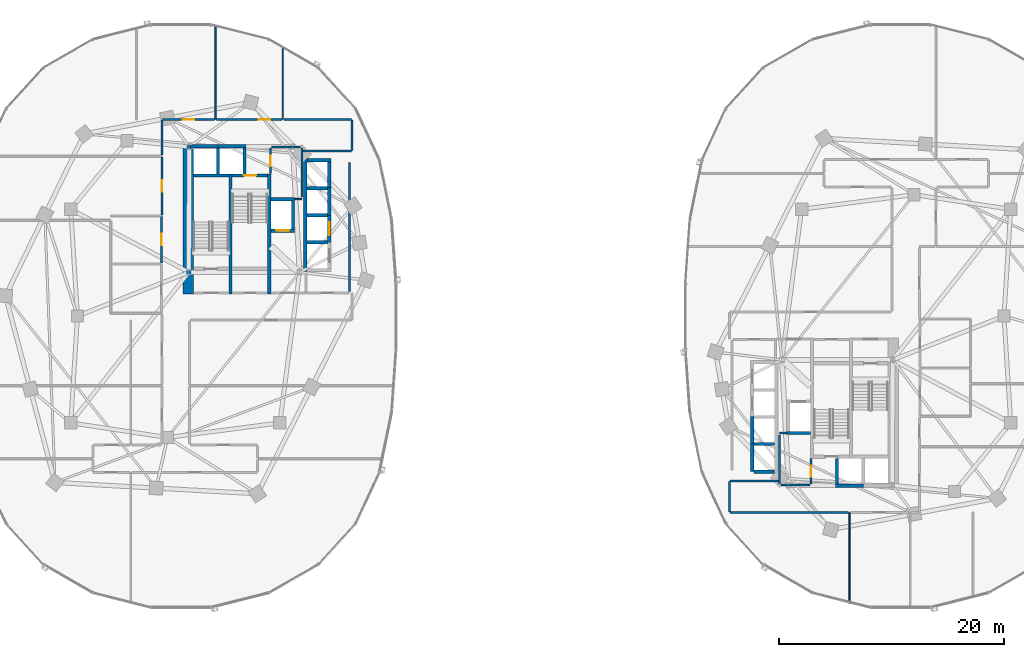
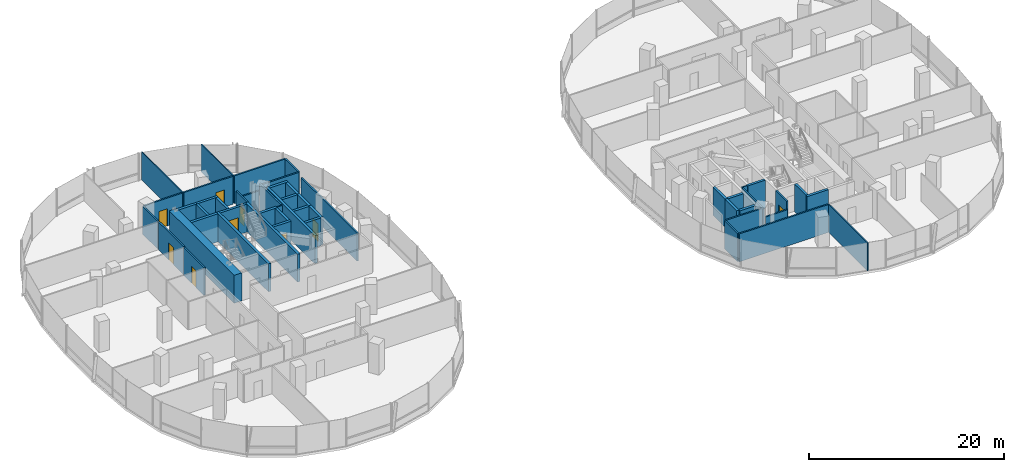
# One storey, part 12 of 22: 50 walls, 9 doors, 9 openings.
"""IFC4 building model written with IfcOpenShell, lengths in metres."""

from ifc_helpers import new_model, si_unit, direction, frame, frame_2d, origin, place, context, subcontext, project, spatial, rectangle, extrude, material, layer, layer_set, type_object, element, fill, save


model = new_model("IFC4")

# Units and contexts
model_context = context("Model", 3, precision=1e-05, world=origin(), true_north=direction((0.0, 1.0)))
body_context = subcontext(model_context, "Body", "Model", "MODEL_VIEW")
ifc_project = project(units=[si_unit("LENGTHUNIT", "METRE"), si_unit("AREAUNIT", "SQUARE_METRE"), si_unit("VOLUMEUNIT", "CUBIC_METRE"), si_unit("PLANEANGLEUNIT", "RADIAN"), si_unit("MASSUNIT", "GRAM", prefix="KILO"), si_unit("THERMODYNAMICTEMPERATUREUNIT", "KELVIN"), si_unit("POWERUNIT", "WATT")], contexts=[model_context])

# Site, building, storey
site_placement = place(None, origin())
site = spatial("IfcSite", under=ifc_project, at=site_placement, CompositionType="ELEMENT")
building_placement = place(site_placement, origin())
building = spatial("IfcBuilding", under=site, at=building_placement, Name="Cundina Bronze Exchange", CompositionType="ELEMENT")
storey_placement = place(building_placement, frame((0.0, 0.0, 43.0)))
storey = spatial("IfcBuildingStorey", under=building, at=storey_placement, Name="L10", CompositionType="ELEMENT", Elevation=43.0)

# Walls
ifc_material_1 = material(Name="Gypsum Fireboard Partition EI120")
ifc_layer_1 = layer(ifc_material_1, 0.179931640625, Name="Gypsum Fireboard Partition EI120")
ifc_layer_set_1 = layer_set([ifc_layer_1], Name="Gypsum Fireboard Partition EI120")
wall_type_1 = type_object("IfcWallType", Name="WL-COR-180", PredefinedType="PARTITIONING", material=ifc_layer_set_1)
wall_1_placement = place(storey_placement, frame((-17.02001953125, 2.169921875, 0.0), z_axis=(0.0, 0.0, 1.0), x_axis=(0.0, 1.0, 0.0)))
element("IfcWall", 1, at=wall_1_placement, inside=storey, type_object=wall_type_1, Name="L10 Interior Partition 001", PredefinedType="PARTITIONING", context=body_context, shape_type="SweptSolid", body=[
    extrude(rectangle(XDim=11.510009765625, YDim=0.179931640625, at=frame_2d((5.7548828125, 0.0))), origin(), (0.0, 0.0, 1.0), 3.5),
])
wall_2_placement = place(storey_placement, frame((-21.25, 10.570068359375, 0.0), z_axis=(0.0, 0.0, 1.0), x_axis=(0.0, 1.0, 0.0)))
element("IfcWall", 2, at=wall_2_placement, inside=storey, type_object=wall_type_1, Name="L10 Interior Partition 004", PredefinedType="PARTITIONING", context=body_context, shape_type="SweptSolid", body=[
    extrude(rectangle(XDim=4.35986328125, YDim=0.179931640625, at=frame_2d((2.179931640625, 0.0))), origin(), (0.0, 0.0, 1.0), 3.5),
])
wall_3_placement = place(storey_placement, frame((-23.9599609375, 15.030029296875, 0.0), z_axis=(0.0, 0.0, 1.0), x_axis=(1.0, 0.0, 0.0)))
element("IfcWall", 3, at=wall_3_placement, inside=storey, type_object=wall_type_1, Name="L10 Interior Partition 005", PredefinedType="PARTITIONING", context=body_context, shape_type="SweptSolid", body=[
    extrude(rectangle(XDim=2.60986328125, YDim=0.179931640625, at=frame_2d((1.304931640625, 0.0))), origin(), (0.0, 0.0, 1.0), 2.572998046875),
])

# Wall, opening, door
wall_4_placement = place(storey_placement, frame((-24.02001953125, 12.669921875, 0.0), z_axis=(0.0, 0.0, 1.0), x_axis=(0.0, 1.0, 0.0)))
wall_4 = element("IfcWall", 4, at=wall_4_placement, inside=storey, type_object=wall_type_1, Name="L10 Interior Partition 007", PredefinedType="PARTITIONING", context=body_context, shape_type="SweptSolid", body=[
    extrude(rectangle(XDim=2.260009765625, YDim=0.179931640625, at=frame_2d((1.1298828125, 0.0))), origin(), (0.0, 0.0, 1.0), 3.5),
])
opening_1_placement = place(wall_4_placement, frame((0.655029296875, 0.0, 0.0)))
opening_1 = element("IfcOpeningElement", 5, at=opening_1_placement, cuts=wall_4, Name="Opening DW-01", PredefinedType="OPENING", context=body_context, shape_type="SweptSolid", body=[
    extrude(rectangle(XDim=0.949951171875, YDim=2.10009765625, at=frame_2d((0.47509765625, 1.050048828125))), frame((0.0, 0.099853515625, 0.0), z_axis=(0.0, -1.0, 0.0), x_axis=(1.0, 0.0, 0.0)), (0.0, 0.0, 1.0), 0.199951171875),
])
ifc_material_2 = material(Name="Solid Andean Oak Timber Grade A", Category="wood")
door_type_1 = type_object("IfcDoorType", Name="DR-WC-950", OperationType="NOTDEFINED", PredefinedType="DOOR", material=ifc_material_2)
door_1_placement = place(opening_1_placement, origin())
door_1 = element("IfcDoor", 6, at=door_1_placement, inside=storey, type_object=door_type_1, Name="L10 Interior Door 007", OperationType="SINGLE_SWING_RIGHT", OverallHeight=2.10009765625, OverallWidth=0.949951171875, PredefinedType="DOOR", context=body_context, shape_type="SweptSolid", body=[
    extrude(rectangle(XDim=0.949951171875, YDim=2.10009765625, at=frame_2d((0.47509765625, 1.050048828125))), frame((0.0, 0.02490234375, 0.0), z_axis=(0.0, -1.0, 0.0), x_axis=(1.0, 0.0, 0.0)), (0.0, 0.0, 1.0), 0.050048828125),
])
fill(opening_1, door_1)

wall_5_placement = place(storey_placement, frame((-33.719970703125, 4.72998046875, 0.0), z_axis=(0.0, 0.0, 1.0), x_axis=(0.0, 1.0, 0.0)))
wall_5 = element("IfcWall", 7, at=wall_5_placement, inside=storey, type_object=wall_type_1, Name="L10 Interior Partition 014", PredefinedType="PARTITIONING", context=body_context, shape_type="SweptSolid", body=[
    extrude(rectangle(XDim=4.159912109375, YDim=0.179931640625, at=frame_2d((2.080078125, 0.0))), origin(), (0.0, 0.0, 1.0), 3.5),
])
opening_2_placement = place(wall_5_placement, frame((1.580078125, 0.0, 0.0)))
opening_2 = element("IfcOpeningElement", 8, at=opening_2_placement, cuts=wall_5, Name="Opening DO-01", PredefinedType="OPENING", context=body_context, shape_type="SweptSolid", body=[
    extrude(rectangle(XDim=1.0, YDim=2.14990234375, at=frame_2d((0.5, 1.074951171875))), frame((0.0, 0.099853515625, 0.0), z_axis=(0.0, -1.0, 0.0), x_axis=(1.0, 0.0, 0.0)), (0.0, 0.0, 1.0), 0.199951171875),
])
door_type_2 = type_object("IfcDoorType", Name="DR-OFF-1000", OperationType="NOTDEFINED", PredefinedType="DOOR", material=ifc_material_2)
door_2_placement = place(opening_2_placement, origin())
door_2 = element("IfcDoor", 9, at=door_2_placement, inside=storey, type_object=door_type_2, Name="L10 Interior Door 014", OperationType="SINGLE_SWING_LEFT", OverallHeight=2.14990234375, OverallWidth=1.0, PredefinedType="DOOR", context=body_context, shape_type="SweptSolid", body=[
    extrude(rectangle(XDim=1.0, YDim=2.14990234375, at=frame_2d((0.5, 1.074951171875))), frame((0.0, 0.02490234375, 0.0), z_axis=(0.0, -1.0, 0.0), x_axis=(1.0, 0.0, 0.0)), (0.0, 0.0, 1.0), 0.050048828125),
])
fill(opening_2, door_2)

# Walls
wall_6_placement = place(storey_placement, frame((-16.821533203125, 17.469970703125, 0.0), z_axis=(0.0, 0.0, 1.0), x_axis=(-1.0, 0.0, 0.0)))
element("IfcWall", 10, at=wall_6_placement, inside=storey, type_object=wall_type_1, Name="L10 Interior Partition 041", PredefinedType="PARTITIONING", context=body_context, shape_type="SweptSolid", body=[
    extrude(rectangle(XDim=6.028564453125, YDim=0.179931640625, at=frame_2d((3.01416015625, 0.0))), origin(), (0.0, 0.0, 1.0), 3.5),
])
wall_7_placement = place(storey_placement, frame((-21.178466796875, 14.679931640625, 0.0), z_axis=(0.0, 0.0, 1.0), x_axis=(1.0, 0.0, 0.0)))
element("IfcWall", 11, at=wall_7_placement, inside=storey, type_object=wall_type_1, Name="L10 Interior Partition 043", PredefinedType="PARTITIONING", context=body_context, shape_type="SweptSolid", body=[
    extrude(rectangle(XDim=4.35693359375, YDim=0.179931640625, at=frame_2d((2.178466796875, 0.0))), origin(), (0.0, 0.0, 1.0), 3.5),
])
wall_8_placement = place(storey_placement, frame((-16.780029296875, 14.721435546875, 0.0), z_axis=(0.0, 0.0, 1.0), x_axis=(0.0, 1.0, 0.0)))
element("IfcWall", 12, at=wall_8_placement, inside=storey, type_object=wall_type_1, Name="L10 Interior Partition 044", PredefinedType="PARTITIONING", context=body_context, shape_type="SweptSolid", body=[
    extrude(rectangle(XDim=2.70703125, YDim=0.179931640625, at=frame_2d((1.353515625, 0.0))), origin(), (0.0, 0.0, 1.0), 3.5),
])

# Wall, opening, door
wall_9_placement = place(storey_placement, frame((-33.669921875, 14.1298828125, 0.0), z_axis=(0.0, 0.0, 1.0), x_axis=(0.0, -1.0, 0.0)))
wall_9 = element("IfcWall", 13, at=wall_9_placement, inside=storey, type_object=wall_type_1, Name="L10 Interior Partition 046", PredefinedType="PARTITIONING", context=body_context, shape_type="SweptSolid", body=[
    extrude(rectangle(XDim=5.12841796875, YDim=0.179931640625, at=frame_2d((2.564208984375, 0.0))), origin(), (0.0, 0.0, 1.0), 3.5),
])
opening_3_placement = place(wall_9_placement, frame((2.064208984375, 0.0, 0.0)))
opening_3 = element("IfcOpeningElement", 14, at=opening_3_placement, cuts=wall_9, Name="Opening DO-01", PredefinedType="OPENING", context=body_context, shape_type="SweptSolid", body=[
    extrude(rectangle(XDim=1.0, YDim=2.14990234375, at=frame_2d((0.5, 1.074951171875))), frame((0.0, 0.099853515625, 0.0), z_axis=(0.0, -1.0, 0.0), x_axis=(1.0, 0.0, 0.0)), (0.0, 0.0, 1.0), 0.199951171875),
])
door_3_placement = place(opening_3_placement, origin())
door_3 = element("IfcDoor", 15, at=door_3_placement, inside=storey, type_object=door_type_2, Name="L10 Interior Door 046", OperationType="SINGLE_SWING_RIGHT", OverallHeight=2.14990234375, OverallWidth=1.0, PredefinedType="DOOR", context=body_context, shape_type="SweptSolid", body=[
    extrude(rectangle(XDim=1.0, YDim=2.14990234375, at=frame_2d((0.5, 1.074951171875))), frame((0.0, 0.02490234375, 0.0), z_axis=(0.0, -1.0, 0.0), x_axis=(1.0, 0.0, 0.0)), (0.0, 0.0, 1.0), 0.050048828125),
])
fill(opening_3, door_3)

wall_10_placement = place(storey_placement, frame((-29.030029296875, 17.469970703125, 0.0), z_axis=(0.0, 0.0, 1.0), x_axis=(-1.0, 0.0, 0.0)))
wall_10 = element("IfcWall", 16, at=wall_10_placement, inside=storey, type_object=wall_type_1, Name="L10 Interior Partition 047", PredefinedType="PARTITIONING", context=body_context, shape_type="SweptSolid", body=[
    extrude(rectangle(XDim=4.598388671875, YDim=0.179931640625, at=frame_2d((2.29931640625, 0.0))), origin(), (0.0, 0.0, 1.0), 3.5),
])
opening_4_placement = place(wall_10_placement, frame((1.79931640625, 0.0, 0.0)))
opening_4 = element("IfcOpeningElement", 17, at=opening_4_placement, cuts=wall_10, Name="Opening DO-01", PredefinedType="OPENING", context=body_context, shape_type="SweptSolid", body=[
    extrude(rectangle(XDim=1.0, YDim=2.14990234375, at=frame_2d((0.5, 1.074951171875))), frame((0.0, 0.099853515625, 0.0), z_axis=(0.0, -1.0, 0.0), x_axis=(1.0, 0.0, 0.0)), (0.0, 0.0, 1.0), 0.199951171875),
])
door_4_placement = place(opening_4_placement, origin())
door_4 = element("IfcDoor", 18, at=door_4_placement, inside=storey, type_object=door_type_2, Name="L10 Interior Door 047", OperationType="SINGLE_SWING_LEFT", OverallHeight=2.14990234375, OverallWidth=1.0, PredefinedType="DOOR", context=body_context, shape_type="SweptSolid", body=[
    extrude(rectangle(XDim=1.0, YDim=2.14990234375, at=frame_2d((0.5, 1.074951171875))), frame((0.0, 0.02490234375, 0.0), z_axis=(0.0, -1.0, 0.0), x_axis=(1.0, 0.0, 0.0)), (0.0, 0.0, 1.0), 0.050048828125),
])
fill(opening_4, door_4)

# Wall
wall_11_placement = place(storey_placement, frame((-33.669921875, 17.428466796875, 0.0), z_axis=(0.0, 0.0, 1.0), x_axis=(0.0, -1.0, 0.0)))
element("IfcWall", 19, at=wall_11_placement, inside=storey, type_object=wall_type_1, Name="L10 Interior Partition 048", PredefinedType="PARTITIONING", context=body_context, shape_type="SweptSolid", body=[
    extrude(rectangle(XDim=3.118408203125, YDim=0.179931640625, at=frame_2d((1.55908203125, 0.0))), origin(), (0.0, 0.0, 1.0), 3.5),
])

# Wall, opening, door
wall_12_placement = place(storey_placement, frame((-23.030029296875, 17.469970703125, 0.0), z_axis=(0.0, 0.0, 1.0), x_axis=(-1.0, 0.0, 0.0)))
wall_12 = element("IfcWall", 20, at=wall_12_placement, inside=storey, type_object=wall_type_1, Name="L10 Interior Partition 049", PredefinedType="PARTITIONING", context=body_context, shape_type="SweptSolid", body=[
    extrude(rectangle(XDim=5.820068359375, YDim=0.179931640625, at=frame_2d((2.91015625, 0.0))), origin(), (0.0, 0.0, 1.0), 3.5),
])
opening_5_placement = place(wall_12_placement, frame((1.035888671875, 0.0, 0.0)))
opening_5 = element("IfcOpeningElement", 21, at=opening_5_placement, cuts=wall_12, Name="Opening DO-01", PredefinedType="OPENING", context=body_context, shape_type="SweptSolid", body=[
    extrude(rectangle(XDim=1.0, YDim=2.14990234375, at=frame_2d((0.5, 1.074951171875))), frame((0.0, 0.099853515625, 0.0), z_axis=(0.0, -1.0, 0.0), x_axis=(1.0, 0.0, 0.0)), (0.0, 0.0, 1.0), 0.199951171875),
])
door_5_placement = place(opening_5_placement, origin())
door_5 = element("IfcDoor", 22, at=door_5_placement, inside=storey, type_object=door_type_2, Name="L10 Interior Door 049", OperationType="SINGLE_SWING_LEFT", OverallHeight=2.14990234375, OverallWidth=1.0, PredefinedType="DOOR", context=body_context, shape_type="SweptSolid", body=[
    extrude(rectangle(XDim=1.0, YDim=2.14990234375, at=frame_2d((0.5, 1.074951171875))), frame((0.0, 0.02490234375, 0.0), z_axis=(0.0, -1.0, 0.0), x_axis=(1.0, 0.0, 0.0)), (0.0, 0.0, 1.0), 0.050048828125),
])
fill(opening_5, door_5)

# Walls
wall_13_placement = place(storey_placement, frame((21.25, -14.929931640625, 0.0), z_axis=(0.0, 0.0, 1.0), x_axis=(0.0, 1.0, 0.0)))
element("IfcWall", 23, at=wall_13_placement, inside=storey, type_object=wall_type_1, Name="L10 Interior Partition 053", PredefinedType="PARTITIONING", context=body_context, shape_type="SweptSolid", body=[
    extrude(rectangle(XDim=4.35986328125, YDim=0.179931640625, at=frame_2d((2.179931640625, 0.0))), origin(), (0.0, 0.0, 1.0), 3.5),
])
wall_14_placement = place(storey_placement, frame((21.35009765625, -15.030029296875, 0.0), z_axis=(0.0, 0.0, 1.0), x_axis=(1.0, 0.0, 0.0)))
element("IfcWall", 24, at=wall_14_placement, inside=storey, type_object=wall_type_1, Name="L10 Interior Partition 054", PredefinedType="PARTITIONING", context=body_context, shape_type="SweptSolid", body=[
    extrude(rectangle(XDim=2.60986328125, YDim=0.179931640625, at=frame_2d((1.304931640625, 0.0))), origin(), (0.0, 0.0, 1.0), 2.572998046875),
])

# Wall, opening, door
wall_15_placement = place(storey_placement, frame((24.02001953125, -14.929931640625, 0.0), z_axis=(0.0, 0.0, 1.0), x_axis=(0.0, 1.0, 0.0)))
wall_15 = element("IfcWall", 25, at=wall_15_placement, inside=storey, type_object=wall_type_1, Name="L10 Interior Partition 056", PredefinedType="PARTITIONING", context=body_context, shape_type="SweptSolid", body=[
    extrude(rectangle(XDim=2.260009765625, YDim=0.179931640625, at=frame_2d((1.1298828125, 0.0))), origin(), (0.0, 0.0, 1.0), 3.5),
])
opening_6_placement = place(wall_15_placement, frame((0.655029296875, 0.0, 0.0)))
opening_6 = element("IfcOpeningElement", 26, at=opening_6_placement, cuts=wall_15, Name="Opening DW-01", PredefinedType="OPENING", context=body_context, shape_type="SweptSolid", body=[
    extrude(rectangle(XDim=0.949951171875, YDim=2.10009765625, at=frame_2d((0.47509765625, 1.050048828125))), frame((0.0, 0.099853515625, 0.0), z_axis=(0.0, -1.0, 0.0), x_axis=(1.0, 0.0, 0.0)), (0.0, 0.0, 1.0), 0.199951171875),
])
door_6_placement = place(opening_6_placement, origin())
door_6 = element("IfcDoor", 27, at=door_6_placement, inside=storey, type_object=door_type_1, Name="L10 Interior Door 056", OperationType="SINGLE_SWING_LEFT", OverallHeight=2.10009765625, OverallWidth=0.949951171875, PredefinedType="DOOR", context=body_context, shape_type="SweptSolid", body=[
    extrude(rectangle(XDim=0.949951171875, YDim=2.10009765625, at=frame_2d((0.47509765625, 1.050048828125))), frame((0.0, 0.02490234375, 0.0), z_axis=(0.0, -1.0, 0.0), x_axis=(1.0, 0.0, 0.0)), (0.0, 0.0, 1.0), 0.050048828125),
])
fill(opening_6, door_6)

# Walls
wall_16_placement = place(storey_placement, frame((16.821533203125, -17.469970703125, 0.0), z_axis=(0.0, 0.0, 1.0), x_axis=(1.0, 0.0, 0.0)))
element("IfcWall", 28, at=wall_16_placement, inside=storey, type_object=wall_type_1, Name="L10 Interior Partition 081", PredefinedType="PARTITIONING", context=body_context, shape_type="SweptSolid", body=[
    extrude(rectangle(XDim=10.548583984375, YDim=0.179931640625, at=frame_2d((5.2744140625, 0.0))), origin(), (0.0, 0.0, 1.0), 3.5),
])
wall_17_placement = place(storey_placement, frame((21.178466796875, -14.679931640625, 0.0), z_axis=(0.0, 0.0, 1.0), x_axis=(-1.0, 0.0, 0.0)))
element("IfcWall", 29, at=wall_17_placement, inside=storey, type_object=wall_type_1, Name="L10 Interior Partition 083", PredefinedType="PARTITIONING", context=body_context, shape_type="SweptSolid", body=[
    extrude(rectangle(XDim=4.35693359375, YDim=0.179931640625, at=frame_2d((2.178466796875, 0.0))), origin(), (0.0, 0.0, 1.0), 3.5),
])
wall_18_placement = place(storey_placement, frame((16.780029296875, -14.721435546875, 0.0), z_axis=(0.0, 0.0, 1.0), x_axis=(0.0, -1.0, 0.0)))
element("IfcWall", 30, at=wall_18_placement, inside=storey, type_object=wall_type_1, Name="L10 Interior Partition 084", PredefinedType="PARTITIONING", context=body_context, shape_type="SweptSolid", body=[
    extrude(rectangle(XDim=2.70703125, YDim=0.179931640625, at=frame_2d((1.353515625, 0.0))), origin(), (0.0, 0.0, 1.0), 3.5),
])
ifc_material_3 = material(Name="Concrete C60/75", Category="concrete")
ifc_layer_2 = layer(ifc_material_3, 0.89990234375, Name="Concrete C60/75", Category="concrete")
ifc_layer_set_2 = layer_set([ifc_layer_2], Name="Concrete C60/75")
wall_type_2 = type_object("IfcWallType", Name="WL-CORE-900", PredefinedType="SHEAR", material=ifc_layer_set_2)
wall_19_placement = place(storey_placement, frame((-31.35009765625, 1.969970703125, 0.0), z_axis=(0.0, 0.0, 1.0), x_axis=(0.0, 1.0, 0.0)))
element("IfcWall", 31, at=wall_19_placement, inside=storey, type_object=wall_type_2, Name="L10 W Primary Core Shear Spine Wall", PredefinedType="SHEAR", context=body_context, shape_type="SweptSolid", body=[
    extrude(rectangle(XDim=13.330078125, YDim=0.89990234375, at=frame_2d((6.6650390625, 0.0))), origin(), (0.0, 0.0, 1.0), 3.5),
])
ifc_material_4 = material(Name="Gypsum Acoustic Partition EI60")
ifc_layer_3 = layer(ifc_material_4, 0.125, Name="Gypsum Acoustic Partition EI60")
ifc_layer_set_3 = layer_set([ifc_layer_3], Name="Gypsum Acoustic Partition EI60")
wall_type_3 = type_object("IfcWallType", Name="WL-OFF-125", PredefinedType="PARTITIONING", material=ifc_layer_set_3)
wall_20_placement = place(storey_placement, frame((-28.93994140625, 17.5, 0.0), z_axis=(0.0, 0.0, 1.0), x_axis=(0.0, 1.0, 0.0)))
element("IfcWall", 32, at=wall_20_placement, inside=storey, type_object=wall_type_3, Name="L10 Interior Partition 026", PredefinedType="PARTITIONING", context=body_context, shape_type="SweptSolid", body=[
    extrude(rectangle(XDim=8.394775390625, YDim=0.125, at=frame_2d((4.197265625, 0.0))), origin(), (0.0, 0.0, 1.0), 3.5),
])
wall_21_placement = place(storey_placement, frame((-22.93994140625, 17.5, 0.0), z_axis=(0.0, 0.0, 1.0), x_axis=(0.0, 1.0, 0.0)))
element("IfcWall", 33, at=wall_21_placement, inside=storey, type_object=wall_type_3, Name="L10 Interior Partition 027", PredefinedType="PARTITIONING", context=body_context, shape_type="SweptSolid", body=[
    extrude(rectangle(XDim=6.490478515625, YDim=0.125, at=frame_2d((3.2451171875, 0.0))), origin(), (0.0, 0.0, 1.0), 3.5),
])
wall_22_placement = place(storey_placement, frame((27.4599609375, -25.5205078125, 0.0), z_axis=(0.0, 0.0, 1.0), x_axis=(0.0, 1.0, 0.0)))
element("IfcWall", 34, at=wall_22_placement, inside=storey, type_object=wall_type_3, Name="L10 Interior Partition 073", PredefinedType="PARTITIONING", context=body_context, shape_type="SweptSolid", body=[
    extrude(rectangle(XDim=8.0205078125, YDim=0.125, at=frame_2d((4.01025390625, 0.0))), origin(), (0.0, 0.0, 1.0), 3.5),
])
ifc_material_5 = material(Name="Concrete C50/60", Category="concrete")
ifc_layer_4 = layer(ifc_material_5, 0.300048828125, Name="Concrete C50/60", Category="concrete")
ifc_layer_set_4 = layer_set([ifc_layer_4], Name="Concrete C50/60")
wall_type_4 = type_object("IfcWallType", Name="WL-SHFT-300", PredefinedType="SHEAR", material=ifc_layer_set_4)
for number, where, z_axis, x_axis, name in (
    (35, (-27.590087890625, 1.969970703125, 0.0), (0.0, 0.0, 1.0), (0.0, 1.0, 0.0), "L10 W Stair Shaft Dividing Shear Wall"),
    (36, (-24.1298828125, 1.969970703125, 0.0), (0.0, 0.0, 1.0), (0.0, 1.0, 0.0), "L10 W Stair 2 East Shear Wall"),
):
    element("IfcWall", number, at=place(storey_placement, frame(where, z_axis=z_axis, x_axis=x_axis)), inside=storey, type_object=wall_type_4, Name=name, PredefinedType="SHEAR", context=body_context, shape_type="SweptSolid", body=[
        extrude(rectangle(XDim=10.679931640625, YDim=0.300048828125, at=frame_2d((5.33984375, 0.0))), origin(), (0.0, 0.0, 1.0), 3.5),
    ])
wall_23_placement = place(storey_placement, frame((-30.89990234375, 12.5, 0.0), z_axis=(0.0, 0.0, 1.0), x_axis=(1.0, 0.0, 0.0)))
element("IfcWall", 37, at=wall_23_placement, inside=storey, type_object=wall_type_4, Name="L10 Stair W1 Far Shaft Wall", PredefinedType="SHEAR", context=body_context, shape_type="SweptSolid", body=[
    extrude(rectangle(XDim=3.159912109375, YDim=0.300048828125, at=frame_2d((1.580078125, 0.0))), origin(), (0.0, 0.0, 1.0), 3.5),
])

# Wall, opening, door
wall_24_placement = place(storey_placement, frame((-27.43994140625, 12.5, 0.0), z_axis=(0.0, 0.0, 1.0), x_axis=(1.0, 0.0, 0.0)))
wall_24 = element("IfcWall", 38, at=wall_24_placement, inside=storey, type_object=wall_type_4, Name="L10 Stair W2 Landing Wall", PredefinedType="SHEAR", context=body_context, shape_type="SweptSolid", body=[
    extrude(rectangle(XDim=3.159912109375, YDim=0.300048828125, at=frame_2d((1.580078125, 0.0))), origin(), (0.0, 0.0, 1.0), 3.5),
])
opening_7_placement = place(wall_24_placement, frame((1.030029296875, 0.0, 0.0)))
opening_7 = element("IfcOpeningElement", 39, at=opening_7_placement, cuts=wall_24, Name="Opening DS-01", PredefinedType="OPENING", context=body_context, shape_type="SweptSolid", body=[
    extrude(rectangle(XDim=1.10009765625, YDim=2.14990234375, at=frame_2d((0.550048828125, 1.074951171875))), frame((0.0, 0.159912109375, 0.0), z_axis=(0.0, -1.0, 0.0), x_axis=(1.0, 0.0, 0.0)), (0.0, 0.0, 1.0), 0.320068359375),
])
ifc_material_6 = material(Name="Steel ASTM A36 Painted", Category="steel")
door_type_3 = type_object("IfcDoorType", Name="DR-STR-1100", OperationType="NOTDEFINED", PredefinedType="DOOR", material=ifc_material_6)
door_7_placement = place(opening_7_placement, origin())
door_7 = element("IfcDoor", 40, at=door_7_placement, inside=storey, type_object=door_type_3, Name="L10 Smokeproof Stair W2 Door", OperationType="SINGLE_SWING_LEFT", OverallHeight=2.14990234375, OverallWidth=1.10009765625, PredefinedType="DOOR", context=body_context, shape_type="SweptSolid", body=[
    extrude(rectangle(XDim=1.10009765625, YDim=2.14990234375, at=frame_2d((0.550048828125, 1.074951171875))), frame((0.0, 0.02490234375, 0.0), z_axis=(0.0, -1.0, 0.0), x_axis=(1.0, 0.0, 0.0)), (0.0, 0.0, 1.0), 0.050048828125),
])
fill(opening_7, door_7)

wall_25_placement = place(storey_placement, frame((-23.97998046875, 7.60009765625, 0.0), z_axis=(0.0, 0.0, 1.0), x_axis=(1.0, 0.0, 0.0)))
wall_25 = element("IfcWall", 41, at=wall_25_placement, inside=storey, type_object=wall_type_4, Name="L10 FFL-W Hoistway Front Wall", PredefinedType="SHEAR", context=body_context, shape_type="SweptSolid", body=[
    extrude(rectangle(XDim=2.10009765625, YDim=0.300048828125, at=frame_2d((1.050048828125, 0.0))), origin(), (0.0, 0.0, 1.0), 3.5),
])
opening_8_placement = place(wall_25_placement, frame((0.47509765625, 0.0, 0.0)))
opening_8 = element("IfcOpeningElement", 42, at=opening_8_placement, cuts=wall_25, Name="Opening LD-01", PredefinedType="OPENING", context=body_context, shape_type="SweptSolid", body=[
    extrude(rectangle(XDim=1.14990234375, YDim=2.199951171875, at=frame_2d((0.574951171875, 1.10009765625))), frame((0.0, 0.159912109375, 0.0), z_axis=(0.0, -1.0, 0.0), x_axis=(1.0, 0.0, 0.0)), (0.0, 0.0, 1.0), 0.320068359375),
])
door_type_4 = type_object("IfcDoorType", Name="DR-LND-1150", OperationType="NOTDEFINED", PredefinedType="TRAPDOOR", material=ifc_material_6)
door_8_placement = place(opening_8_placement, origin())
door_8 = element("IfcDoor", 43, at=door_8_placement, inside=storey, type_object=door_type_4, Name="L10 FFL-W Sliding Landing Door", OperationType="SLIDING_TO_LEFT", OverallHeight=2.199951171875, OverallWidth=1.14990234375, PredefinedType="TRAPDOOR", context=body_context, shape_type="SweptSolid", body=[
    extrude(rectangle(XDim=1.14990234375, YDim=2.199951171875, at=frame_2d((0.574951171875, 1.10009765625))), frame((0.0, 0.02490234375, 0.0), z_axis=(0.0, -1.0, 0.0), x_axis=(1.0, 0.0, 0.0)), (0.0, 0.0, 1.0), 0.050048828125),
])
fill(opening_8, door_8)

# Walls
wall_26_placement = place(storey_placement, frame((-23.97998046875, 10.39990234375, 0.0), z_axis=(0.0, 0.0, 1.0), x_axis=(1.0, 0.0, 0.0)))
element("IfcWall", 44, at=wall_26_placement, inside=storey, type_object=wall_type_4, Name="L10 FFL-W Hoistway Back Wall", PredefinedType="SHEAR", context=body_context, shape_type="SweptSolid", body=[
    extrude(rectangle(XDim=2.10009765625, YDim=0.300048828125, at=frame_2d((1.050048828125, 0.0))), origin(), (0.0, 0.0, 1.0), 3.5),
])
for number, where, z_axis, x_axis, name in (
    (45, (-22.030029296875, 7.75, 0.0), (0.0, 0.0, 1.0), (0.0, 1.0, 0.0), "L10 FFL-W Hoistway Side Wall"),
    (46, (-31.199951171875, 15.10009765625, 0.0), (0.0, 0.0, 1.0), (1.0, 0.0, 0.0), "L10 PH-W1 Hoistway Front Wall"),
):
    element("IfcWall", number, at=place(storey_placement, frame(where, z_axis=z_axis, x_axis=x_axis)), inside=storey, type_object=wall_type_4, Name=name, PredefinedType="SHEAR", context=body_context, shape_type="SweptSolid", body=[
        extrude(rectangle(XDim=2.5, YDim=0.300048828125, at=frame_2d((1.25, 0.0))), origin(), (0.0, 0.0, 1.0), 3.5),
    ])
wall_27_placement = place(storey_placement, frame((-28.699951171875, 12.64990234375, 0.0), z_axis=(0.0, 0.0, 1.0), x_axis=(0.0, 1.0, 0.0)))
element("IfcWall", 47, at=wall_27_placement, inside=storey, type_object=wall_type_4, Name="L10 PH-W1 Hoistway Divider Wall", PredefinedType="SHEAR", context=body_context, shape_type="SweptSolid", body=[
    extrude(rectangle(XDim=2.300048828125, YDim=0.300048828125, at=frame_2d((1.14990234375, 0.0))), origin(), (0.0, 0.0, 1.0), 3.5),
])
wall_28_placement = place(storey_placement, frame((-28.699951171875, 15.10009765625, 0.0), z_axis=(0.0, 0.0, 1.0), x_axis=(1.0, 0.0, 0.0)))
element("IfcWall", 48, at=wall_28_placement, inside=storey, type_object=wall_type_4, Name="L10 PH-W2 Hoistway Front Wall", PredefinedType="SHEAR", context=body_context, shape_type="SweptSolid", body=[
    extrude(rectangle(XDim=2.5, YDim=0.300048828125, at=frame_2d((1.25, 0.0))), origin(), (0.0, 0.0, 1.0), 3.5),
])
wall_29_placement = place(storey_placement, frame((-26.35009765625, 12.64990234375, 0.0), z_axis=(0.0, 0.0, 1.0), x_axis=(0.0, 1.0, 0.0)))
element("IfcWall", 49, at=wall_29_placement, inside=storey, type_object=wall_type_4, Name="L10 PH-W2 Hoistway Divider Wall", PredefinedType="SHEAR", context=body_context, shape_type="SweptSolid", body=[
    extrude(rectangle(XDim=2.300048828125, YDim=0.300048828125, at=frame_2d((1.14990234375, 0.0))), origin(), (0.0, 0.0, 1.0), 3.5),
])
wall_30_placement = place(storey_placement, frame((-20.949951171875, 3.949951171875, 0.0), z_axis=(0.0, 0.0, 1.0), x_axis=(0.0, 1.0, 0.0)))
element("IfcWall", 50, at=wall_30_placement, inside=storey, type_object=wall_type_4, Name="L10 W Passenger Bank Hoistway Back Wall", PredefinedType="SHEAR", context=body_context, shape_type="SweptSolid", body=[
    extrude(rectangle(XDim=10.050048828125, YDim=0.300048828125, at=frame_2d((5.02490234375, 0.0))), origin(), (0.0, 0.0, 1.0), 3.5),
])
wall_31_placement = place(storey_placement, frame((-20.800048828125, 13.85009765625, 0.0), z_axis=(0.0, 0.0, 1.0), x_axis=(1.0, 0.0, 0.0)))
element("IfcWall", 51, at=wall_31_placement, inside=storey, type_object=wall_type_4, Name="L10 W Passenger Bank North Cap Wall", PredefinedType="SHEAR", context=body_context, shape_type="SweptSolid", body=[
    extrude(rectangle(XDim=2.150146484375, YDim=0.300048828125, at=frame_2d((1.0751953125, 0.0))), origin(), (0.0, 0.0, 1.0), 3.5),
])
for number, where, z_axis, x_axis, name in (
    (52, (-20.800048828125, 6.574951171875, 0.0), (0.0, 0.0, 1.0), (1.0, 0.0, 0.0), "L10 W Passenger Hoistway Divider 1"),
    (53, (-20.800048828125, 8.97509765625, 0.0), (0.0, 0.0, 1.0), (1.0, 0.0, 0.0), "L10 W Passenger Hoistway Divider 2"),
    (54, (-20.800048828125, 11.375, 0.0), (0.0, 0.0, 1.0), (1.0, 0.0, 0.0), "L10 W Passenger Hoistway Divider 3"),
):
    element("IfcWall", number, at=place(storey_placement, frame(where, z_axis=z_axis, x_axis=x_axis)), inside=storey, type_object=wall_type_4, Name=name, PredefinedType="SHEAR", context=body_context, shape_type="SweptSolid", body=[
        extrude(rectangle(XDim=1.85009765625, YDim=0.300048828125, at=frame_2d((0.925048828125, 0.0))), origin(), (0.0, 0.0, 1.0), 3.5),
    ])

# Wall, opening, door
wall_32_placement = place(storey_placement, frame((-18.800048828125, 6.530029296875, 0.0), z_axis=(0.0, 0.0, 1.0), x_axis=(0.0, 1.0, 0.0)))
wall_32 = element("IfcWall", 55, at=wall_32_placement, inside=storey, type_object=wall_type_4, Name="L10 PL-W1 Hoistway Front Wall", PredefinedType="SHEAR", context=body_context, shape_type="SweptSolid", body=[
    extrude(rectangle(XDim=2.489990234375, YDim=0.300048828125, at=frame_2d((1.2451171875, 0.0))), origin(), (0.0, 0.0, 1.0), 3.5),
])
opening_9_placement = place(wall_32_placement, frame((0.669921875, 0.0, 0.0)))
opening_9 = element("IfcOpeningElement", 56, at=opening_9_placement, cuts=wall_32, Name="Opening LD-01", PredefinedType="OPENING", context=body_context, shape_type="SweptSolid", body=[
    extrude(rectangle(XDim=1.14990234375, YDim=2.199951171875, at=frame_2d((0.574951171875, 1.10009765625))), frame((0.0, 0.159912109375, 0.0), z_axis=(0.0, -1.0, 0.0), x_axis=(1.0, 0.0, 0.0)), (0.0, 0.0, 1.0), 0.320068359375),
])
door_9_placement = place(opening_9_placement, origin())
door_9 = element("IfcDoor", 57, at=door_9_placement, inside=storey, type_object=door_type_4, Name="L10 PL-W1 Sliding Landing Door", OperationType="SLIDING_TO_LEFT", OverallHeight=2.199951171875, OverallWidth=1.14990234375, PredefinedType="TRAPDOOR", context=body_context, shape_type="SweptSolid", body=[
    extrude(rectangle(XDim=1.14990234375, YDim=2.199951171875, at=frame_2d((0.574951171875, 1.10009765625))), frame((0.0, 0.02490234375, 0.0), z_axis=(0.0, -1.0, 0.0), x_axis=(1.0, 0.0, 0.0)), (0.0, 0.0, 1.0), 0.050048828125),
])
fill(opening_9, door_9)

# Walls
for number, where, z_axis, x_axis, name in (
    (58, (-18.800048828125, 8.929931640625, 0.0), (0.0, 0.0, 1.0), (0.0, 1.0, 0.0), "L10 PM-W2 Hoistway Front Wall"),
    (59, (-18.800048828125, 11.330078125, 0.0), (0.0, 0.0, 1.0), (0.0, 1.0, 0.0), "L10 PM-W1 Hoistway Front Wall"),
):
    element("IfcWall", number, at=place(storey_placement, frame(where, z_axis=z_axis, x_axis=x_axis)), inside=storey, type_object=wall_type_4, Name=name, PredefinedType="SHEAR", context=body_context, shape_type="SweptSolid", body=[
        extrude(rectangle(XDim=2.489990234375, YDim=0.300048828125, at=frame_2d((1.2451171875, 0.0))), origin(), (0.0, 0.0, 1.0), 3.5),
    ])
wall_33_placement = place(storey_placement, frame((21.8798828125, -10.39990234375, 0.0), z_axis=(0.0, 0.0, 1.0), x_axis=(1.0, 0.0, 0.0)))
element("IfcWall", 60, at=wall_33_placement, inside=storey, type_object=wall_type_4, Name="L10 FFL-E Hoistway Back Wall", PredefinedType="SHEAR", context=body_context, shape_type="SweptSolid", body=[
    extrude(rectangle(XDim=2.10009765625, YDim=0.300048828125, at=frame_2d((1.050048828125, 0.0))), origin(), (0.0, 0.0, 1.0), 3.5),
])
wall_34_placement = place(storey_placement, frame((26.199951171875, -15.10009765625, 0.0), z_axis=(0.0, 0.0, 1.0), x_axis=(1.0, 0.0, 0.0)))
element("IfcWall", 61, at=wall_34_placement, inside=storey, type_object=wall_type_4, Name="L10 PH-E2 Hoistway Front Wall", PredefinedType="SHEAR", context=body_context, shape_type="SweptSolid", body=[
    extrude(rectangle(XDim=2.5, YDim=0.300048828125, at=frame_2d((1.25, 0.0))), origin(), (0.0, 0.0, 1.0), 3.5),
])
wall_35_placement = place(storey_placement, frame((26.35009765625, -14.949951171875, 0.0), z_axis=(0.0, 0.0, 1.0), x_axis=(0.0, 1.0, 0.0)))
element("IfcWall", 62, at=wall_35_placement, inside=storey, type_object=wall_type_4, Name="L10 PH-E2 Hoistway Divider Wall", PredefinedType="SHEAR", context=body_context, shape_type="SweptSolid", body=[
    extrude(rectangle(XDim=2.300048828125, YDim=0.300048828125, at=frame_2d((1.14990234375, 0.0))), origin(), (0.0, 0.0, 1.0), 3.5),
])
for number, where, z_axis, x_axis, name in (
    (63, (18.949951171875, -13.85009765625, 0.0), (0.0, 0.0, 1.0), (1.0, 0.0, 0.0), "L10 E Passenger Bank South Cap Wall"),
    (64, (18.949951171875, -11.375, 0.0), (0.0, 0.0, 1.0), (1.0, 0.0, 0.0), "L10 E Passenger Hoistway Divider 1"),
):
    element("IfcWall", number, at=place(storey_placement, frame(where, z_axis=z_axis, x_axis=x_axis)), inside=storey, type_object=wall_type_4, Name=name, PredefinedType="SHEAR", context=body_context, shape_type="SweptSolid", body=[
        extrude(rectangle(XDim=1.85009765625, YDim=0.300048828125, at=frame_2d((0.925048828125, 0.0))), origin(), (0.0, 0.0, 1.0), 3.5),
    ])
for number, where, z_axis, x_axis, name in (
    (65, (18.800048828125, -13.820068359375, 0.0), (0.0, 0.0, 1.0), (0.0, 1.0, 0.0), "L10 PM-E1 Hoistway Front Wall"),
    (66, (18.800048828125, -11.419921875, 0.0), (0.0, 0.0, 1.0), (0.0, 1.0, 0.0), "L10 PM-E2 Hoistway Front Wall"),
):
    element("IfcWall", number, at=place(storey_placement, frame(where, z_axis=z_axis, x_axis=x_axis)), inside=storey, type_object=wall_type_4, Name=name, PredefinedType="SHEAR", context=body_context, shape_type="SweptSolid", body=[
        extrude(rectangle(XDim=2.489990234375, YDim=0.300048828125, at=frame_2d((1.2451171875, 0.0))), origin(), (0.0, 0.0, 1.0), 3.5),
    ])
ifc_material_7 = material(Name="Moisture-Resistant Masonry Block Grade M15", Category="masonry")
ifc_layer_5 = layer(ifc_material_7, 0.139892578125, Name="Moisture-Resistant Masonry Block Grade M15", Category="masonry")
ifc_layer_set_5 = layer_set([ifc_layer_5], Name="Moisture-Resistant Masonry Block Grade M15")
wall_type_5 = type_object("IfcWallType", Name="WL-WET-140", PredefinedType="PARTITIONING", material=ifc_layer_set_5)
for number, where, z_axis, x_axis, name in (
    (67, (-21.860107421875, 10.39990234375, 0.0), (0.0, 0.0, 1.0), (1.0, 0.0, 0.0), "L10 Interior Partition 003"),
    (68, (21.27001953125, -10.39990234375, 0.0), (0.0, 0.0, 1.0), (1.0, 0.0, 0.0), "L10 Interior Partition 052"),
):
    element("IfcWall", number, at=place(storey_placement, frame(where, z_axis=z_axis, x_axis=x_axis)), inside=storey, type_object=wall_type_5, Name=name, PredefinedType="PARTITIONING", context=body_context, shape_type="SweptSolid", body=[
        extrude(rectangle(XDim=0.590087890625, YDim=0.139892578125, at=frame_2d((0.294921875, 0.0))), origin(), (0.0, 0.0, 1.0), 3.5),
    ])

save(model, "model.ifc")
